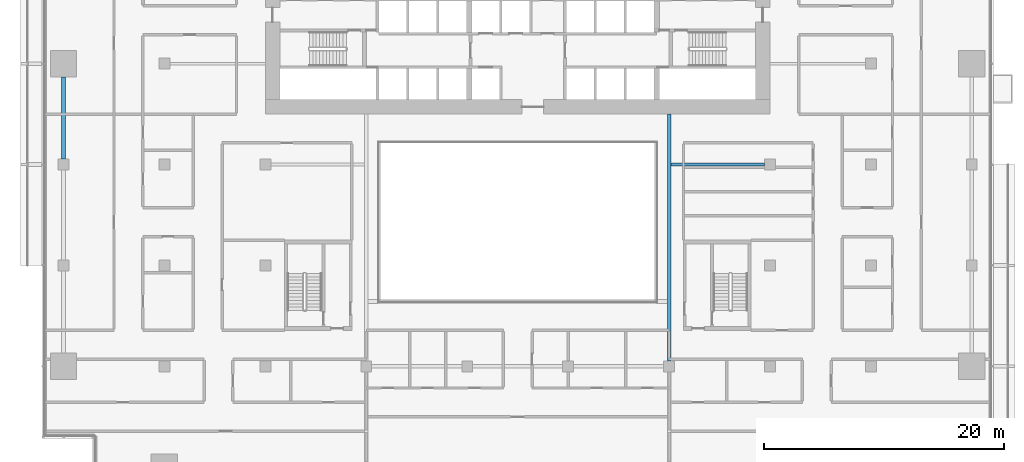
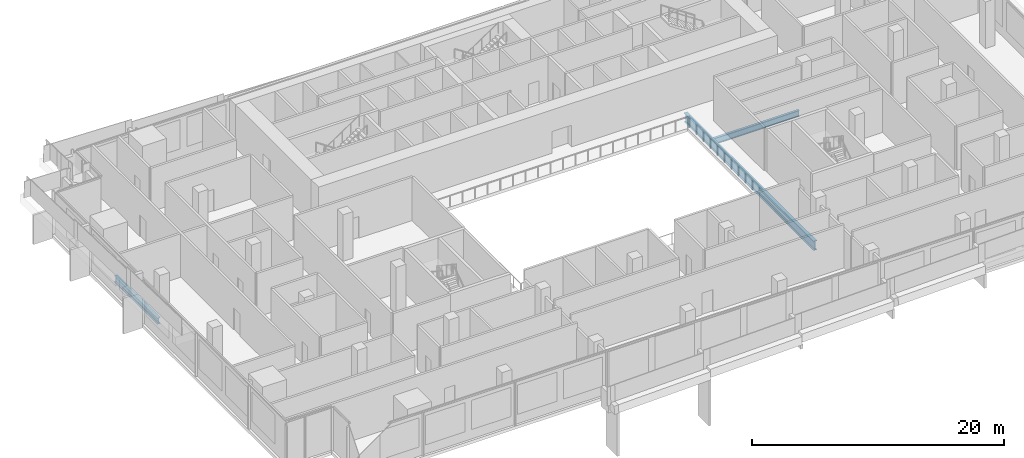
# One storey, part 5 of 24: 3 beams.
"""IFC4 building model written with IfcOpenShell, lengths in metres."""

from ifc_helpers import new_model, si_unit, direction, frame, origin, origin_2d, place, context, subcontext, project, spatial, i_section, extrude, material, material_profile, profile_set, type_object, element, save


model = new_model("IFC4")

# Units and contexts
model_context = context("Model", 3, precision=1e-05, world=origin(), true_north=direction((0.0, 1.0)))
body_context = subcontext(model_context, "Body", "Model", "MODEL_VIEW")
ifc_project = project(units=[si_unit("LENGTHUNIT", "METRE"), si_unit("AREAUNIT", "SQUARE_METRE"), si_unit("VOLUMEUNIT", "CUBIC_METRE"), si_unit("PLANEANGLEUNIT", "RADIAN"), si_unit("MASSUNIT", "GRAM", prefix="KILO")], contexts=[model_context])

# Site, building, storey
site_placement = place(None, origin())
site = spatial("IfcSite", under=ifc_project, at=site_placement, CompositionType="ELEMENT")
building_placement = place(site_placement, origin())
building = spatial("IfcBuilding", under=site, at=building_placement, Name="Saffron Gate Tower", CompositionType="ELEMENT")
storey_placement = place(building_placement, frame((0.0, 0.0, 28.199951171875)))
storey = spatial("IfcBuildingStorey", under=building, at=storey_placement, Name="L05", CompositionType="ELEMENT", Elevation=28.199951171875)

# Beams
ifc_material = material(Name="Structural steel S355", Category="steel")
ifc_material_profile_1 = material_profile(ifc_material, i_section(OverallWidth=0.300048828125, OverallDepth=0.590087890625, WebThickness=0.012939453125, FlangeThickness=0.02490234375, FilletRadius=0.027099609375, at=origin_2d()))
ifc_profile_set_1 = profile_set([ifc_material_profile_1], Name="Structural steel S355")
beam_type_1 = type_object("IfcBeamType", Name="B14 HEA 600", PredefinedType="SPANDREL", material=ifc_profile_set_1)
beam_1_placement = place(storey_placement, frame((49.800048828125, 57.449951171875, -0.594970703125), z_axis=(0.0, 1.0, 0.0), x_axis=(-1.0, 0.0, 0.0)))
element("IfcBeam", 1, at=beam_1_placement, inside=storey, type_object=beam_type_1, Name="B14 SPANDREL BEAM", PredefinedType="SPANDREL", context=body_context, shape_type="SweptSolid", body=[
    extrude(i_section(OverallWidth=0.300048828125, OverallDepth=0.590087890625, WebThickness=0.012939453125, FlangeThickness=0.02490234375, FilletRadius=0.027099609375, at=origin_2d()), origin(), (0.0, 0.0, 1.0), 6.85009765625),
])
ifc_material_profile_2 = material_profile(ifc_material, i_section(OverallWidth=0.219970703125, OverallDepth=0.60009765625, WebThickness=0.011962890625, FlangeThickness=0.01904296875, FilletRadius=0.02392578125, at=origin_2d()))
ifc_profile_set_2 = profile_set([ifc_material_profile_2], Name="Structural steel S355")
beam_type_2 = type_object("IfcBeamType", Name="B15 IPE 600", PredefinedType="BEAM", material=ifc_profile_set_2)
beam_2_placement = place(storey_placement, frame((108.14990234375, 57.0, -0.599853515625), z_axis=(-1.0, 0.0, 0.0), x_axis=(0.0, -1.0, 0.0)))
element("IfcBeam", 2, at=beam_2_placement, inside=storey, type_object=beam_type_2, Name="B15 CORE TIE BEAM", PredefinedType="BEAM", context=body_context, shape_type="SweptSolid", body=[
    extrude(i_section(OverallWidth=0.219970703125, OverallDepth=0.60009765625, WebThickness=0.011962890625, FlangeThickness=0.01904296875, FilletRadius=0.02392578125, at=origin_2d()), origin(), (0.0, 0.0, 1.0), 7.7998046875),
])
ifc_material_profile_3 = material_profile(ifc_material, i_section(OverallWidth=0.300048828125, OverallDepth=0.89990234375, WebThickness=0.0185546875, FlangeThickness=0.034912109375, FilletRadius=0.030029296875, at=origin_2d()))
ifc_profile_set_3 = profile_set([ifc_material_profile_3], Name="Structural steel S355")
beam_type_3 = type_object("IfcBeamType", Name="B20 HEB 900", PredefinedType="BEAM", material=ifc_profile_set_3)
beam_3_placement = place(storey_placement, frame((100.199951171875, 40.64990234375, -0.75), z_axis=(0.0, 1.0, 0.0), x_axis=(-1.0, 0.0, 0.0)))
element("IfcBeam", 3, at=beam_3_placement, inside=storey, type_object=beam_type_3, Name="B20 ATRIUM GIRDER", PredefinedType="BEAM", context=body_context, shape_type="SweptSolid", body=[
    extrude(i_section(OverallWidth=0.300048828125, OverallDepth=0.89990234375, WebThickness=0.0185546875, FlangeThickness=0.034912109375, FilletRadius=0.030029296875, at=origin_2d()), origin(), (0.0, 0.0, 1.0), 20.550048828125),
])

save(model, "model.ifc")
